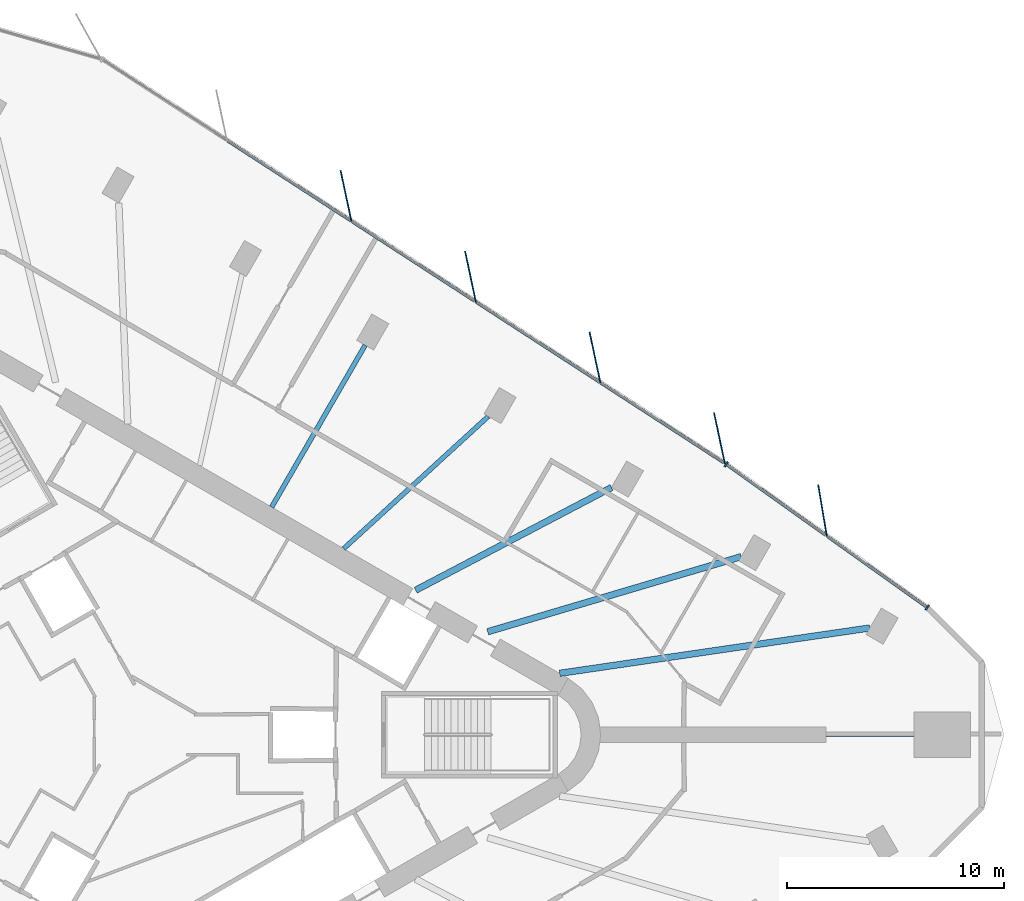
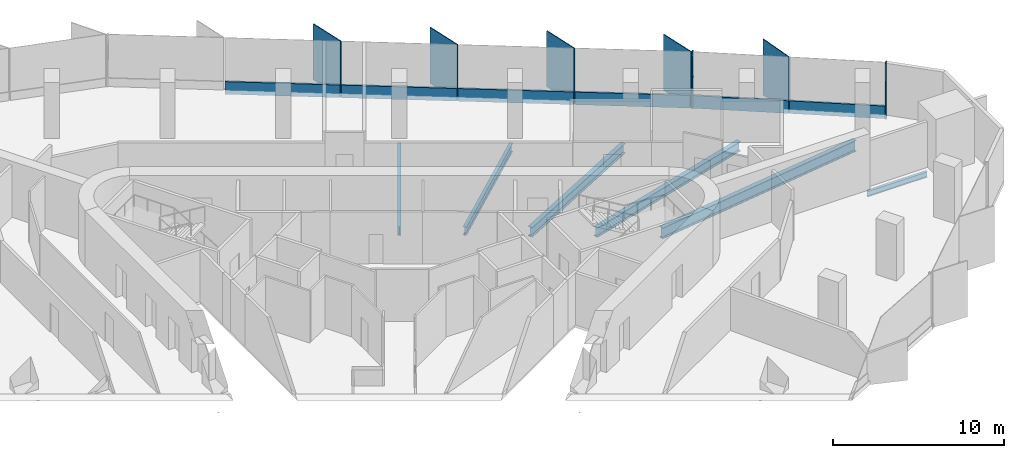
# One storey, part 5 of 14: 13 members, 6 beams, 2 elements without a shape of their own.
"""IFC4 building model written with IfcOpenShell, lengths in metres."""

from ifc_helpers import new_model, si_unit, direction, frame, origin, origin_2d, place, context, subcontext, project, spatial, rectangle, i_section, extrude, material, material_profile, profile_set, type_object, element, aggregate, save


model = new_model("IFC4")

# Units and contexts
model_context = context("Model", 3, precision=1e-05, world=origin(), true_north=direction((0.0, 1.0)))
body_context = subcontext(model_context, "Body", "Model", "MODEL_VIEW")
ifc_project = project(units=[si_unit("LENGTHUNIT", "METRE"), si_unit("AREAUNIT", "SQUARE_METRE"), si_unit("VOLUMEUNIT", "CUBIC_METRE"), si_unit("PLANEANGLEUNIT", "RADIAN"), si_unit("MASSUNIT", "GRAM", prefix="KILO")], contexts=[model_context])

# Site, building, storey
site_placement = place(None, origin())
site = spatial("IfcSite", under=ifc_project, at=site_placement, CompositionType="ELEMENT")
building_placement = place(site_placement, origin())
building = spatial("IfcBuilding", under=site, at=building_placement, Name="Tanit Gate Tower", CompositionType="ELEMENT")
storey_placement = place(building_placement, frame((0.0, 0.0, 257.199951171875)))
storey = spatial("IfcBuildingStorey", under=building, at=storey_placement, Name="L58", CompositionType="ELEMENT", Elevation=257.199951171875)

# Curtain wall, member
ifc_material_1 = material(Name="Aluminium bronze anodised and glass", Category="aluminium")
curtain_wall_type = type_object("IfcCurtainWallType", Name="Curtain wall typical mid", PredefinedType="NOTDEFINED", material=ifc_material_1)
curtain_wall_1_placement = place(storey_placement, origin())
curtain_wall_1 = element("IfcCurtainWall", 1, at=curtain_wall_1_placement, inside=storey, type_object=curtain_wall_type, Name="Curtain wall L58 NE1", PredefinedType="NOTDEFINED")
ifc_material_2 = material(Name="Aluminium bronze anodised", Category="aluminium")
ifc_material_profile_1 = material_profile(ifc_material_2, rectangle(XDim=2.39990234375, YDim=0.055908203125, at=origin_2d()), Name="56x2400 bronze fin mullion")
ifc_profile_set_1 = profile_set([ifc_material_profile_1], Name="Aluminium bronze anodised")
member_type_1 = type_object("IfcMemberType", Name="FIN MULLION 56x2400 bronze", PredefinedType="MULLION", material=ifc_profile_set_1)
member_1_placement = place(storey_placement, frame((31.41357421875, 10.318115234375, -0.300048828125), z_axis=(0.0, 0.0, 1.0), x_axis=(0.165705178355, -0.986175336269, 0.0)))
member_1 = element("IfcMember", 2, at=member_1_placement, type_object=member_type_1, Name="Fin mullion L58 NE1.2", PredefinedType="MULLION", context=body_context, shape_type="SweptSolid", body=[
    extrude(rectangle(XDim=2.39990234375, YDim=0.055908203125, at=origin_2d()), origin(), (0.0, 0.0, 1.0), 4.0),
])

# Curtain wall, members
curtain_wall_2_placement = place(storey_placement, origin())
curtain_wall_2 = element("IfcCurtainWall", 3, at=curtain_wall_2_placement, inside=storey, type_object=curtain_wall_type, Name="Curtain wall L58 NE2", PredefinedType="NOTDEFINED")
member_2_placement = place(storey_placement, frame((26.668701171875, 13.650390625, -0.300048828125), z_axis=(0.0, 0.0, 1.0), x_axis=(0.208373118697, -0.978049407445, 0.0)))
member_2 = element("IfcMember", 4, at=member_2_placement, type_object=member_type_1, Name="Fin mullion L58 NE2.1", PredefinedType="MULLION", context=body_context, shape_type="SweptSolid", body=[
    extrude(rectangle(XDim=2.39990234375, YDim=0.055908203125, at=origin_2d()), origin(), (0.0, 0.0, 1.0), 4.0),
])
member_3_placement = place(storey_placement, frame((20.936767578125, 17.368896484375, -0.300048828125), z_axis=(0.0, 0.0, 1.0), x_axis=(0.208373118697, -0.978049407445, 0.0)))
member_3 = element("IfcMember", 5, at=member_3_placement, type_object=member_type_1, Name="Fin mullion L58 NE2.2", PredefinedType="MULLION", context=body_context, shape_type="SweptSolid", body=[
    extrude(rectangle(XDim=2.39990234375, YDim=0.055908203125, at=origin_2d()), origin(), (0.0, 0.0, 1.0), 4.0),
])
member_4_placement = place(storey_placement, frame((15.204833984375, 21.08740234375, -0.300048828125), z_axis=(0.0, 0.0, 1.0), x_axis=(0.208373118697, -0.978049407445, 0.0)))
member_4 = element("IfcMember", 6, at=member_4_placement, type_object=member_type_1, Name="Fin mullion L58 NE2.3", PredefinedType="MULLION", context=body_context, shape_type="SweptSolid", body=[
    extrude(rectangle(XDim=2.39990234375, YDim=0.055908203125, at=origin_2d()), origin(), (0.0, 0.0, 1.0), 4.0),
])
member_5_placement = place(storey_placement, frame((9.47265625, 24.805908203125, -0.300048828125), z_axis=(0.0, 0.0, 1.0), x_axis=(0.208373118697, -0.978049407445, 0.0)))
member_5 = element("IfcMember", 7, at=member_5_placement, type_object=member_type_1, Name="Fin mullion L58 NE2.4", PredefinedType="MULLION", context=body_context, shape_type="SweptSolid", body=[
    extrude(rectangle(XDim=2.39990234375, YDim=0.055908203125, at=origin_2d()), origin(), (0.0, 0.0, 1.0), 4.0),
])

# Member
ifc_material_3 = material(Name="Aluminium bronze anodised", Category="aluminium")
ifc_material_profile_2 = material_profile(ifc_material_3, rectangle(XDim=0.260009765625, YDim=0.080078125, at=origin_2d()), Name="80x260 bronze mullion")
ifc_profile_set_2 = profile_set([ifc_material_profile_2], Name="Aluminium bronze anodised")
member_type_2 = type_object("IfcMemberType", Name="Mullion 80x260 typical mid", PredefinedType="MULLION", material=ifc_profile_set_2)
member_6_placement = place(storey_placement, frame((36.2373046875, 5.85888671875, -0.300048828125), z_axis=(0.0, 0.0, 1.0), x_axis=(-0.580160012422, -0.814502523008, 0.0)))
member_6 = element("IfcMember", 8, at=member_6_placement, type_object=member_type_2, Name="Mullion L58 NE1.1", PredefinedType="MULLION", context=body_context, shape_type="SweptSolid", body=[
    extrude(rectangle(XDim=0.260009765625, YDim=0.080078125, at=origin_2d()), origin(), (0.0, 0.0, 1.0), 4.0),
])

member_7_placement = place(storey_placement, frame((26.98046875, 12.452392578125, -0.300048828125), z_axis=(0.0, 0.0, 1.0), x_axis=(-0.580160012422, -0.814502523008, 0.0)))
member_7 = element("IfcMember", 9, at=member_7_placement, type_object=member_type_2, Name="Mullion L58 NE1.3", PredefinedType="MULLION", context=body_context, shape_type="SweptSolid", body=[
    extrude(rectangle(XDim=0.260009765625, YDim=0.080078125, at=origin_2d()), origin(), (0.0, 0.0, 1.0), 4.0),
])

# Beams
ifc_material_4 = material(Name="Steel S355", Category="steel")
ifc_material_profile_3 = material_profile(ifc_material_4, i_section(OverallWidth=0.300048828125, OverallDepth=0.68994140625, WebThickness=0.014404296875, FlangeThickness=0.027099609375, FilletRadius=0.027099609375, at=origin_2d()), Name="HEA 700")
ifc_profile_set_3 = profile_set([ifc_material_profile_3], Name="Steel S355")
beam_type_1 = type_object("IfcBeamType", Name="RADIAL GIRDER HEA 700 S355", PredefinedType="BEAM", material=ifc_profile_set_3)
beam_1_placement = place(storey_placement, frame((27.66845703125, 8.197021484375, -0.64501953125), z_axis=(-0.958810250553, -0.284047361252, 0.0), x_axis=(0.284047361252, -0.958810250553, 0.0)))
element("IfcBeam", 10, at=beam_1_placement, inside=storey, type_object=beam_type_1, Name="RADIAL GIRDER", PredefinedType="BEAM", context=body_context, shape_type="SweptSolid", body=[
    extrude(i_section(OverallWidth=0.300048828125, OverallDepth=0.68994140625, WebThickness=0.014404296875, FlangeThickness=0.027099609375, FilletRadius=0.027099609375, at=origin_2d()), origin(), (0.0, 0.0, 1.0), 12.174072265625),
])
beam_2_placement = place(storey_placement, frame((21.697998046875, 11.383544921875, -0.64501953125), z_axis=(-0.885529600193, -0.464582960495, 0.0), x_axis=(0.464582960495, -0.885529600193, 0.0)))
element("IfcBeam", 11, at=beam_2_placement, inside=storey, type_object=beam_type_1, Name="RADIAL GIRDER", PredefinedType="BEAM", context=body_context, shape_type="SweptSolid", body=[
    extrude(i_section(OverallWidth=0.300048828125, OverallDepth=0.68994140625, WebThickness=0.014404296875, FlangeThickness=0.027099609375, FilletRadius=0.027099609375, at=origin_2d()), origin(), (0.0, 0.0, 1.0), 10.1826171875),
])
ifc_material_5 = material(Name="Steel S355", Category="steel")
ifc_material_profile_4 = material_profile(ifc_material_5, i_section(OverallWidth=0.300048828125, OverallDepth=0.7900390625, WebThickness=0.014892578125, FlangeThickness=0.028076171875, FilletRadius=0.030029296875, at=origin_2d()), Name="HEA 800")
ifc_profile_set_4 = profile_set([ifc_material_profile_4], Name="Steel S355")
beam_type_2 = type_object("IfcBeamType", Name="RADIAL GIRDER HEA 800 S355", PredefinedType="BEAM", material=ifc_profile_set_4)
beam_3_placement = place(storey_placement, frame((33.59130859375, 4.914306640625, -0.695068359375), z_axis=(-0.989468215533, -0.144750303802, 0.0), x_axis=(0.144750303802, -0.989468215533, 0.0)))
element("IfcBeam", 12, at=beam_3_placement, inside=storey, type_object=beam_type_2, Name="RADIAL GIRDER", PredefinedType="BEAM", context=body_context, shape_type="SweptSolid", body=[
    extrude(i_section(OverallWidth=0.300048828125, OverallDepth=0.7900390625, WebThickness=0.014892578125, FlangeThickness=0.028076171875, FilletRadius=0.030029296875, at=origin_2d()), origin(), (0.0, 0.0, 1.0), 14.4326171875),
])
ifc_material_6 = material(Name="Steel S355", Category="steel")
ifc_material_profile_5 = material_profile(ifc_material_6, i_section(OverallWidth=0.179931640625, OverallDepth=0.39990234375, WebThickness=0.008544921875, FlangeThickness=0.013427734375, FilletRadius=0.02099609375, at=origin_2d()), Name="IPE 400")
ifc_profile_set_5 = profile_set([ifc_material_profile_5], Name="Steel S355")
beam_type_3 = type_object("IfcBeamType", Name="RADIAL GIRDER IPE 400 S355", PredefinedType="BEAM", material=ifc_profile_set_5)
beam_4_placement = place(storey_placement, frame((35.6201171875, 0.0, -0.5), z_axis=(-1.0, 0.0, 0.0), x_axis=(0.0, -1.0, 0.0)))
element("IfcBeam", 13, at=beam_4_placement, inside=storey, type_object=beam_type_3, Name="RADIAL GIRDER", PredefinedType="BEAM", context=body_context, shape_type="SweptSolid", body=[
    extrude(i_section(OverallWidth=0.179931640625, OverallDepth=0.39990234375, WebThickness=0.008544921875, FlangeThickness=0.013427734375, FilletRadius=0.02099609375, at=origin_2d()), origin(), (0.0, 0.0, 1.0), 4.03759765625),
])
ifc_material_7 = material(Name="Steel S355", Category="steel")
ifc_material_profile_6 = material_profile(ifc_material_7, i_section(OverallWidth=0.219970703125, OverallDepth=0.60009765625, WebThickness=0.011962890625, FlangeThickness=0.01904296875, FilletRadius=0.02392578125, at=origin_2d()), Name="IPE 600")
ifc_profile_set_6 = profile_set([ifc_material_profile_6], Name="Steel S355")
beam_type_4 = type_object("IfcBeamType", Name="RADIAL GIRDER IPE 600 S355", PredefinedType="BEAM", material=ifc_profile_set_6)
beam_5_placement = place(storey_placement, frame((16.02587890625, 14.658203125, -0.599853515625), z_axis=(-0.737904866166, -0.674904740307, 0.0), x_axis=(0.674904740307, -0.737904866166, 0.0)))
element("IfcBeam", 14, at=beam_5_placement, inside=storey, type_object=beam_type_4, Name="RADIAL GIRDER", PredefinedType="BEAM", context=body_context, shape_type="SweptSolid", body=[
    extrude(i_section(OverallWidth=0.219970703125, OverallDepth=0.60009765625, WebThickness=0.011962890625, FlangeThickness=0.01904296875, FilletRadius=0.02392578125, at=origin_2d()), origin(), (0.0, 0.0, 1.0), 9.025390625),
])
beam_6_placement = place(storey_placement, frame((10.353759765625, 17.93310546875, -0.599853515625), z_axis=(-0.500008150211, -0.866020698207, 0.0), x_axis=(0.866020698207, -0.500008150211, 0.0)))
element("IfcBeam", 15, at=beam_6_placement, inside=storey, type_object=beam_type_4, Name="RADIAL GIRDER", PredefinedType="BEAM", context=body_context, shape_type="SweptSolid", body=[
    extrude(i_section(OverallWidth=0.219970703125, OverallDepth=0.60009765625, WebThickness=0.011962890625, FlangeThickness=0.01904296875, FilletRadius=0.02392578125, at=origin_2d()), origin(), (0.0, 0.0, 1.0), 8.605224609375),
])

# Member
ifc_material_8 = material(Name="Aluminium bronze anodised", Category="aluminium")
ifc_material_profile_7 = material_profile(ifc_material_8, rectangle(XDim=0.139892578125, YDim=0.89990234375, at=origin_2d()), Name="140x900 bronze transom")
ifc_profile_set_7 = profile_set([ifc_material_profile_7], Name="Aluminium bronze anodised")
member_type_3 = type_object("IfcMemberType", Name="Transom 140x900 typical mid", PredefinedType="USERDEFINED", material=ifc_profile_set_7)
member_8_placement = place(storey_placement, frame((36.204833984375, 5.882080078125, 0.150146484375), z_axis=(-0.814489482689, 0.580178319647, 0.0), x_axis=(-0.580178319647, -0.814489482689, 0.0)))
member_8 = element("IfcMember", 16, at=member_8_placement, type_object=member_type_3, Name="Transom L58 NE1.1", ObjectType="TRANSOM", PredefinedType="USERDEFINED", context=body_context, shape_type="SweptSolid", body=[
    extrude(rectangle(XDim=0.139892578125, YDim=0.89990234375, at=origin_2d()), origin(), (0.0, 0.0, 1.0), 5.6025390625),
])

member_9_placement = place(storey_placement, frame((31.576416015625, 9.178955078125, 0.150146484375), z_axis=(-0.814524741061, 0.580128818625, 0.0), x_axis=(-0.580128818625, -0.814524741061, 0.0)))
member_9 = element("IfcMember", 17, at=member_9_placement, type_object=member_type_3, Name="Transom L58 NE1.2", ObjectType="TRANSOM", PredefinedType="USERDEFINED", context=body_context, shape_type="SweptSolid", body=[
    extrude(rectangle(XDim=0.139892578125, YDim=0.89990234375, at=origin_2d()), origin(), (0.0, 0.0, 1.0), 5.6025390625),
])

aggregate(curtain_wall_1, [member_6, member_1, member_7, member_8, member_9])

member_10_placement = place(storey_placement, frame((26.880859375, 12.519287109375, 0.150146484375), z_axis=(-0.83893228777, 0.544235809679, 0.0), x_axis=(-0.544235809679, -0.83893228777, 0.0)))
member_10 = element("IfcMember", 18, at=member_10_placement, type_object=member_type_3, Name="Transom L58 NE2.1", ObjectType="TRANSOM", PredefinedType="USERDEFINED", context=body_context, shape_type="SweptSolid", body=[
    extrude(rectangle(XDim=0.139892578125, YDim=0.89990234375, at=origin_2d()), origin(), (0.0, 0.0, 1.0), 6.752685546875),
])

member_11_placement = place(storey_placement, frame((21.148681640625, 16.23779296875, 0.150146484375), z_axis=(-0.838921578545, 0.544252317452, 0.0), x_axis=(-0.544252317452, -0.838921578545, 0.0)))
member_11 = element("IfcMember", 19, at=member_11_placement, type_object=member_type_3, Name="Transom L58 NE2.2", ObjectType="TRANSOM", PredefinedType="USERDEFINED", context=body_context, shape_type="SweptSolid", body=[
    extrude(rectangle(XDim=0.139892578125, YDim=0.89990234375, at=origin_2d()), origin(), (0.0, 0.0, 1.0), 6.75244140625),
])

member_12_placement = place(storey_placement, frame((15.416748046875, 19.956298828125, 0.150146484375), z_axis=(-0.838921578545, 0.544252317452, 0.0), x_axis=(-0.544252317452, -0.838921578545, 0.0)))
member_12 = element("IfcMember", 20, at=member_12_placement, type_object=member_type_3, Name="Transom L58 NE2.3", ObjectType="TRANSOM", PredefinedType="USERDEFINED", context=body_context, shape_type="SweptSolid", body=[
    extrude(rectangle(XDim=0.139892578125, YDim=0.89990234375, at=origin_2d()), origin(), (0.0, 0.0, 1.0), 6.75244140625),
])

member_13_placement = place(storey_placement, frame((9.684814453125, 23.6748046875, 0.150146484375), z_axis=(-0.838921578545, 0.544252317452, 0.0), x_axis=(-0.544252317452, -0.838921578545, 0.0)))
member_13 = element("IfcMember", 21, at=member_13_placement, type_object=member_type_3, Name="Transom L58 NE2.4", ObjectType="TRANSOM", PredefinedType="USERDEFINED", context=body_context, shape_type="SweptSolid", body=[
    extrude(rectangle(XDim=0.139892578125, YDim=0.89990234375, at=origin_2d()), origin(), (0.0, 0.0, 1.0), 6.75244140625),
])

aggregate(curtain_wall_2, [member_2, member_3, member_4, member_5, member_10, member_11, member_12, member_13])

save(model, "model.ifc")
